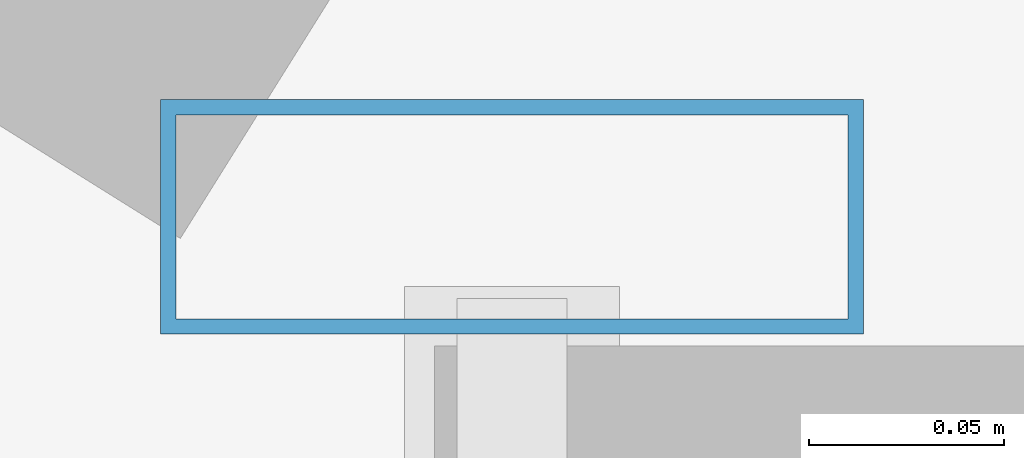
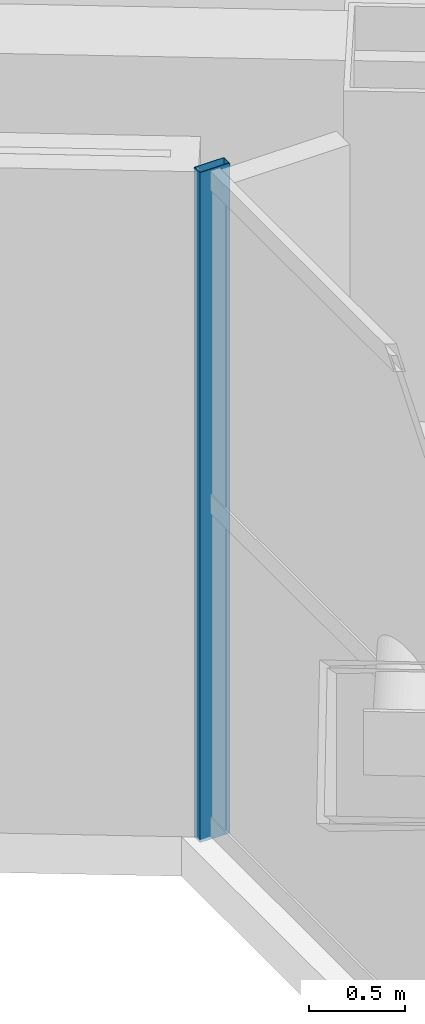
# One storey, part 7 of 34: 1 member, 1 element without a shape of its own.
"""IFC4 building model written with IfcOpenShell, lengths in metres."""

from ifc_helpers import new_model, si_unit, direction, frame, origin, origin_2d, place, context, subcontext, project, spatial, hollow_rectangle, extrude, source, transform, mapped, material, material_profile, profile_set, type_object, element, aggregate, save


model = new_model("IFC4")

# Units and contexts
model_context = context("Model", 3, precision=1e-05, world=origin(), true_north=direction((0.0, 1.0)))
body_context = subcontext(model_context, "Body", "Model", "MODEL_VIEW")
ifc_project = project(units=[si_unit("LENGTHUNIT", "METRE"), si_unit("AREAUNIT", "SQUARE_METRE"), si_unit("VOLUMEUNIT", "CUBIC_METRE"), si_unit("PLANEANGLEUNIT", "RADIAN"), si_unit("MASSUNIT", "GRAM", prefix="KILO")], contexts=[model_context])

# Site, building, storey
site_placement = place(None, origin())
site = spatial("IfcSite", under=ifc_project, at=site_placement, CompositionType="ELEMENT")
building_placement = place(site_placement, origin())
building = spatial("IfcBuilding", under=site, at=building_placement, Name="Tlacorven Tower", CompositionType="ELEMENT")
storey_placement = place(building_placement, frame((0.0, 0.0, 229.199951171875)))
storey = spatial("IfcBuildingStorey", under=building, at=storey_placement, Name="L58", CompositionType="ELEMENT", Elevation=229.199951171875)

# Curtain wall, member
ifc_material_1 = material(Name="Dark solar low-E double glazing in aluminium frame", Category="aluminium")
curtain_wall_type = type_object("IfcCurtainWallType", Name="CW-TWR-HIGH", PredefinedType="USERDEFINED", material=ifc_material_1)
curtain_wall_placement = place(storey_placement, origin())
curtain_wall = element("IfcCurtainWall", 1, at=curtain_wall_placement, inside=storey, type_object=curtain_wall_type, Name="L58 CW-TWR-HIGH Curtain Wall 265", ObjectType="UNITISED CURTAIN WALL", PredefinedType="USERDEFINED")
ifc_material_2 = material(Name="Aluminium 6063-T6 anodised", Category="aluminium")
ifc_material_profile = material_profile(ifc_material_2, hollow_rectangle(XDim=0.06005859375, YDim=0.179931640625, WallThickness=0.00390625, at=origin_2d()), Name="ALU MULLION 60X180")
ifc_profile_set = profile_set([ifc_material_profile], Name="Aluminium 6063-T6 anodised")
member_type = type_object("IfcMemberType", Name="CWM-03", PredefinedType="MULLION", material=ifc_profile_set)
shared_shape = source(origin(), body_context, "Body", "SweptSolid", [
    extrude(hollow_rectangle(XDim=0.06005859375, YDim=0.179931640625, WallThickness=0.00390625, at=origin_2d()), origin(), (0.0, 0.0, 1.0), 4.25),
])
member_placement = place(storey_placement, frame((31.760009765625, 12.052978515625, -0.02001953125), z_axis=(0.0, 0.0, 1.0), x_axis=(0.0, 1.0, 0.0)))
member = element("IfcMember", 2, at=member_placement, type_object=member_type, Name="CW-L58-265 Mullion 4", PredefinedType="MULLION", context=body_context, shape_type="MappedRepresentation", body=[
    mapped(shared_shape, transform((0.0, 0.0, 0.0), scale=1.0)),
])
aggregate(curtain_wall, [member])

save(model, "model.ifc")
